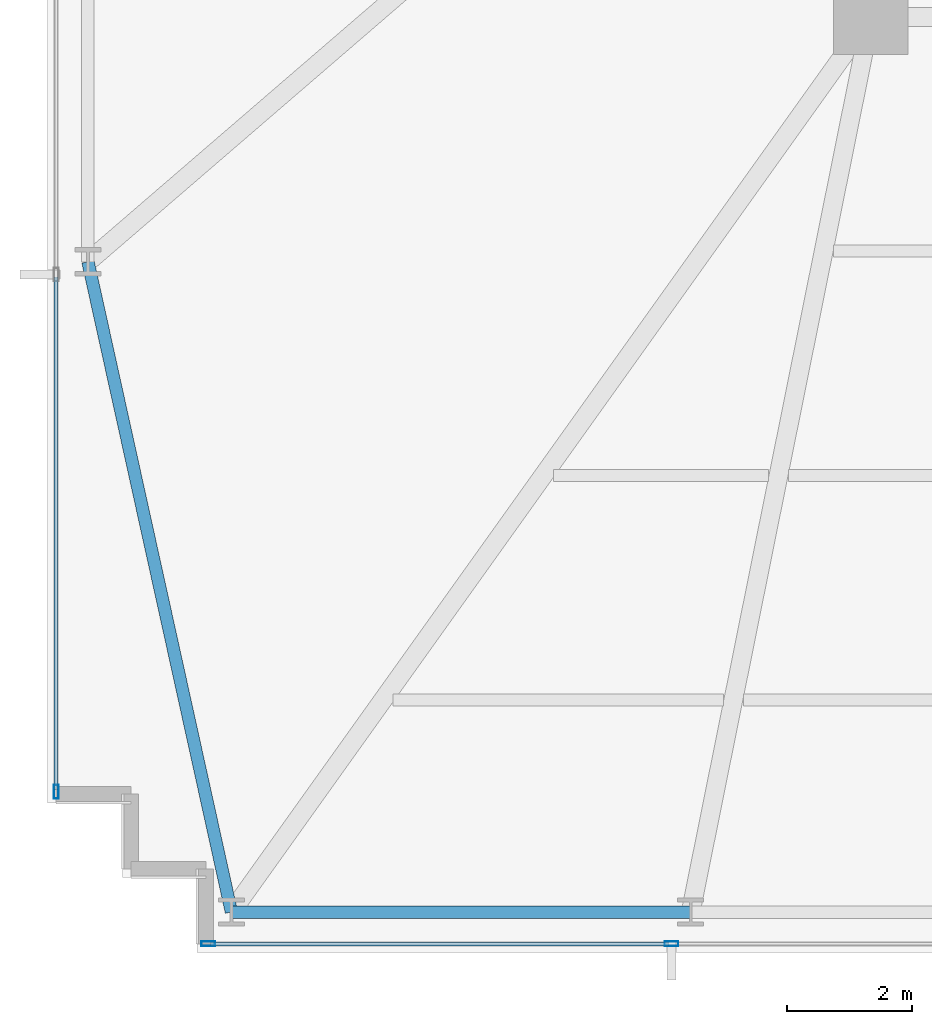
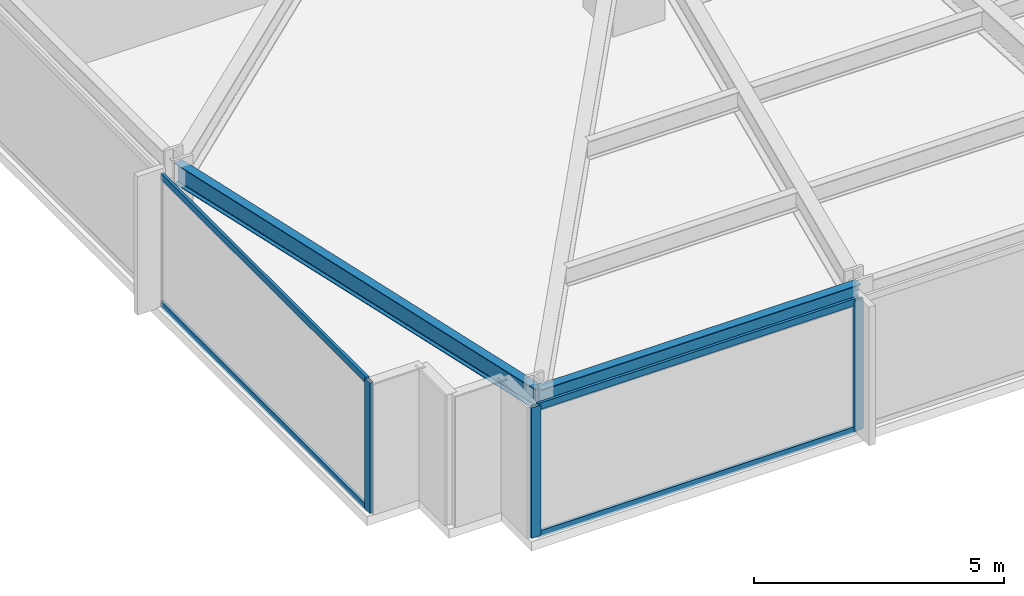
# One storey, part 2 of 33: 7 members, 2 beams, 2 elements without a shape of their own.
"""IFC4 building model written with IfcOpenShell, lengths in metres."""

from ifc_helpers import new_model, si_unit, direction, frame, origin, origin_2d, place, context, subcontext, project, spatial, hollow_rectangle, i_section, extrude, material, material_profile, profile_set, type_object, element, aggregate, save


model = new_model("IFC4")

# Units and contexts
model_context = context("Model", 3, precision=1e-05, world=origin(), true_north=direction((0.0, 1.0)))
body_context = subcontext(model_context, "Body", "Model", "MODEL_VIEW")
ifc_project = project(units=[si_unit("LENGTHUNIT", "METRE"), si_unit("AREAUNIT", "SQUARE_METRE"), si_unit("VOLUMEUNIT", "CUBIC_METRE"), si_unit("PLANEANGLEUNIT", "RADIAN"), si_unit("MASSUNIT", "GRAM", prefix="KILO")], contexts=[model_context])

# Site, building, storey
site_placement = place(None, origin())
site = spatial("IfcSite", under=ifc_project, at=site_placement, CompositionType="ELEMENT")
building_placement = place(site_placement, origin())
building = spatial("IfcBuilding", under=site, at=building_placement, Name="Yelkora Congress Tower", CompositionType="ELEMENT")
storey_placement = place(building_placement, frame((0.0, 0.0, 64.39990234375)))
storey = spatial("IfcBuildingStorey", under=building, at=storey_placement, Name="L16", CompositionType="ELEMENT", Elevation=64.39990234375)

# Beams
ifc_material_1 = material(Name="Steel S355J2", Category="steel")
ifc_material_profile_1 = material_profile(ifc_material_1, i_section(OverallWidth=0.199951171875, OverallDepth=0.5, WebThickness=0.01025390625, FlangeThickness=0.01611328125, FilletRadius=0.02099609375, at=origin_2d()), Name="IPE 500")
ifc_profile_set_1 = profile_set([ifc_material_profile_1], Name="Steel S355J2")
beam_type = type_object("IfcBeamType", Name="BM-SPAN-IPE500", PredefinedType="SPANDREL", material=ifc_profile_set_1)
beam_1_placement = place(storey_placement, frame((6.64990234375, 21.27490234375, 2.93017578125), z_axis=(0.215450706142, -0.976514717361, 0.0), x_axis=(0.976514717361, 0.215450706142, 0.0)))
element("IfcBeam", 1, at=beam_1_placement, inside=storey, type_object=beam_type, Name="L16 Perimeter Beam 1", PredefinedType="SPANDREL", context=body_context, shape_type="SweptSolid", body=[
    extrude(i_section(OverallWidth=0.199951171875, OverallDepth=0.5, WebThickness=0.01025390625, FlangeThickness=0.01611328125, FilletRadius=0.02099609375, at=origin_2d()), origin(), (0.0, 0.0, 1.0), 10.675537109375),
])
beam_2_placement = place(storey_placement, frame((8.949951171875, 10.85009765625, 2.93017578125), z_axis=(1.0, 0.0, 0.0), x_axis=(0.0, 1.0, 0.0)))
element("IfcBeam", 2, at=beam_2_placement, inside=storey, type_object=beam_type, Name="L16 Perimeter Beam 2", PredefinedType="SPANDREL", context=body_context, shape_type="SweptSolid", body=[
    extrude(i_section(OverallWidth=0.199951171875, OverallDepth=0.5, WebThickness=0.01025390625, FlangeThickness=0.01611328125, FilletRadius=0.02099609375, at=origin_2d()), origin(), (0.0, 0.0, 1.0), 7.362548828125),
])

# Curtain wall, member
ifc_material_2 = material(Name="Anodised aluminium and insulated glass", Category="aluminium")
curtain_wall_type = type_object("IfcCurtainWallType", Name="CW-SYS-B1", PredefinedType="NOTDEFINED", material=ifc_material_2)
curtain_wall_1_placement = place(storey_placement, origin())
curtain_wall_1 = element("IfcCurtainWall", 3, at=curtain_wall_1_placement, inside=storey, type_object=curtain_wall_type, Name="L16 Unitised Curtain Wall 5", PredefinedType="NOTDEFINED")
ifc_material_3 = material(Name="Anodised aluminium 6063-T6", Category="aluminium")
ifc_material_profile_2 = material_profile(ifc_material_3, hollow_rectangle(XDim=0.074951171875, YDim=0.219970703125, WallThickness=0.0048828125, at=origin_2d()), Name="ALU 75x220x5")
ifc_profile_set_2 = profile_set([ifc_material_profile_2], Name="Anodised aluminium 6063-T6")
member_type_1 = type_object("IfcMemberType", Name="MEM-ML-B1", PredefinedType="MULLION", material=ifc_profile_set_2)
member_1_placement = place(storey_placement, frame((6.139892578125, 12.777587890625, 0.0), z_axis=(0.0, 0.0, 1.0), x_axis=(-1.0, 0.0, 0.0)))
member_1 = element("IfcMember", 4, at=member_1_placement, type_object=member_type_1, Name="CW-B1 mullion 1", PredefinedType="MULLION", context=body_context, shape_type="SweptSolid", body=[
    extrude(hollow_rectangle(XDim=0.074951171875, YDim=0.219970703125, WallThickness=0.0048828125, at=origin_2d()), origin(), (0.0, 0.0, 1.0), 3.18017578125),
])

# Curtain wall, members
curtain_wall_2_placement = place(storey_placement, origin())
curtain_wall_2 = element("IfcCurtainWall", 5, at=curtain_wall_2_placement, inside=storey, type_object=curtain_wall_type, Name="L16 Unitised Curtain Wall 20", PredefinedType="NOTDEFINED")
member_2_placement = place(storey_placement, frame((16.0048828125, 10.340087890625, 0.0), z_axis=(0.0, 0.0, 1.0), x_axis=(0.0, -1.0, 0.0)))
member_2 = element("IfcMember", 6, at=member_2_placement, type_object=member_type_1, Name="CW-B1 mullion 8", PredefinedType="MULLION", context=body_context, shape_type="SweptSolid", body=[
    extrude(hollow_rectangle(XDim=0.074951171875, YDim=0.219970703125, WallThickness=0.0048828125, at=origin_2d()), origin(), (0.0, 0.0, 1.0), 3.18017578125),
])
member_3_placement = place(storey_placement, frame((8.577392578125, 10.340087890625, 0.0), z_axis=(0.0, 0.0, 1.0), x_axis=(0.0, -1.0, 0.0)))
member_3 = element("IfcMember", 7, at=member_3_placement, type_object=member_type_1, Name="CW-B1 mullion 9", PredefinedType="MULLION", context=body_context, shape_type="SweptSolid", body=[
    extrude(hollow_rectangle(XDim=0.074951171875, YDim=0.219970703125, WallThickness=0.0048828125, at=origin_2d()), origin(), (0.0, 0.0, 1.0), 3.18017578125),
])

# Member
ifc_material_profile_3 = material_profile(ifc_material_3, hollow_rectangle(XDim=0.06494140625, YDim=0.159912109375, WallThickness=0.00390625, at=origin_2d()), Name="ALU 65x160x4")
ifc_profile_set_3 = profile_set([ifc_material_profile_3], Name="Anodised aluminium 6063-T6")
member_type_2 = type_object("IfcMemberType", Name="MEM-TR-B1", PredefinedType="USERDEFINED", material=ifc_profile_set_3)
member_4_placement = place(storey_placement, frame((6.139892578125, 12.81494140625, 0.03271484375), z_axis=(0.0, 1.0, 0.0), x_axis=(-1.0, 0.0, 0.0)))
member_4 = element("IfcMember", 8, at=member_4_placement, type_object=member_type_2, Name="CW-B1 transom 1.1", ObjectType="TRANSOM", PredefinedType="USERDEFINED", context=body_context, shape_type="SweptSolid", body=[
    extrude(hollow_rectangle(XDim=0.06494140625, YDim=0.159912109375, WallThickness=0.00390625, at=origin_2d()), origin(), (0.0, 0.0, 1.0), 8.217529296875),
])

member_5_placement = place(storey_placement, frame((6.139892578125, 12.81494140625, 3.147705078125), z_axis=(0.0, 1.0, 0.0), x_axis=(-1.0, 0.0, 0.0)))
member_5 = element("IfcMember", 9, at=member_5_placement, type_object=member_type_2, Name="CW-B1 transom 1.2", ObjectType="TRANSOM", PredefinedType="USERDEFINED", context=body_context, shape_type="SweptSolid", body=[
    extrude(hollow_rectangle(XDim=0.06494140625, YDim=0.159912109375, WallThickness=0.00390625, at=origin_2d()), origin(), (0.0, 0.0, 1.0), 8.217529296875),
])

aggregate(curtain_wall_1, [member_1, member_4, member_5])

member_6_placement = place(storey_placement, frame((15.967529296875, 10.340087890625, 0.03271484375), z_axis=(-1.0, 0.0, 0.0), x_axis=(0.0, -1.0, 0.0)))
member_6 = element("IfcMember", 10, at=member_6_placement, type_object=member_type_2, Name="CW-B1 transom 8.1", ObjectType="TRANSOM", PredefinedType="USERDEFINED", context=body_context, shape_type="SweptSolid", body=[
    extrude(hollow_rectangle(XDim=0.06494140625, YDim=0.159912109375, WallThickness=0.00390625, at=origin_2d()), origin(), (0.0, 0.0, 1.0), 7.3525390625),
])

member_7_placement = place(storey_placement, frame((15.967529296875, 10.340087890625, 3.147705078125), z_axis=(-1.0, 0.0, 0.0), x_axis=(0.0, -1.0, 0.0)))
member_7 = element("IfcMember", 11, at=member_7_placement, type_object=member_type_2, Name="CW-B1 transom 8.2", ObjectType="TRANSOM", PredefinedType="USERDEFINED", context=body_context, shape_type="SweptSolid", body=[
    extrude(hollow_rectangle(XDim=0.06494140625, YDim=0.159912109375, WallThickness=0.00390625, at=origin_2d()), origin(), (0.0, 0.0, 1.0), 7.3525390625),
])

aggregate(curtain_wall_2, [member_2, member_3, member_6, member_7])

save(model, "model.ifc")
